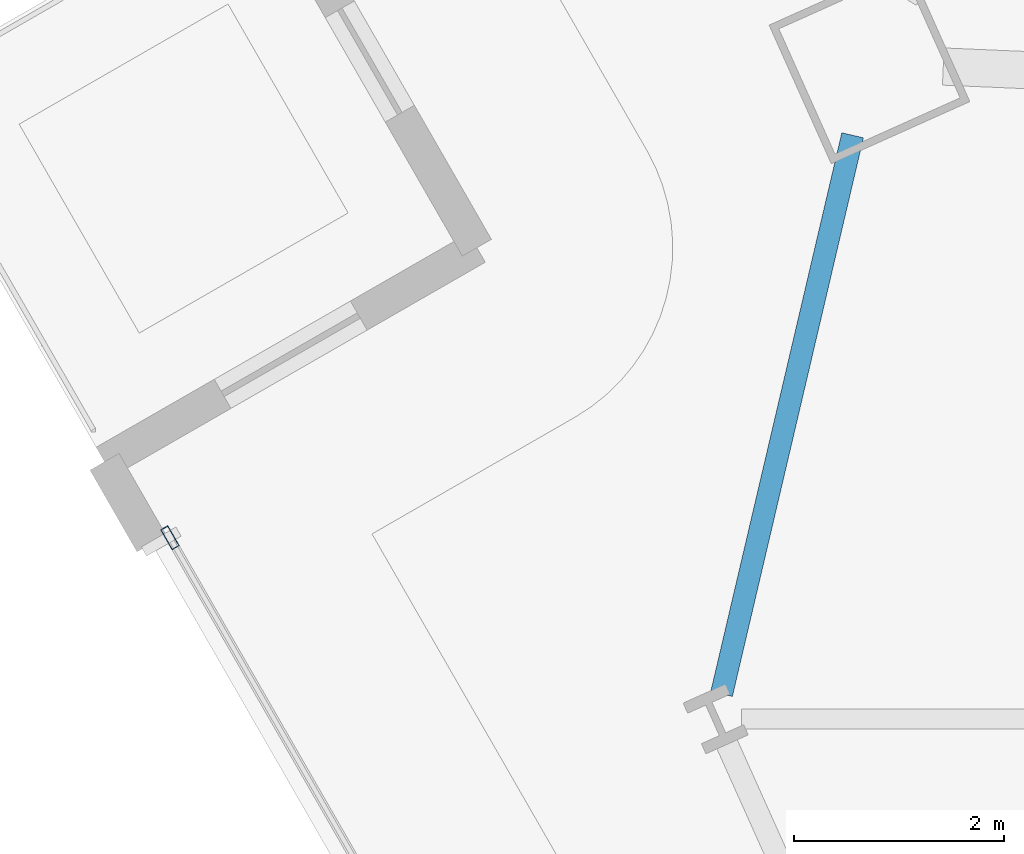
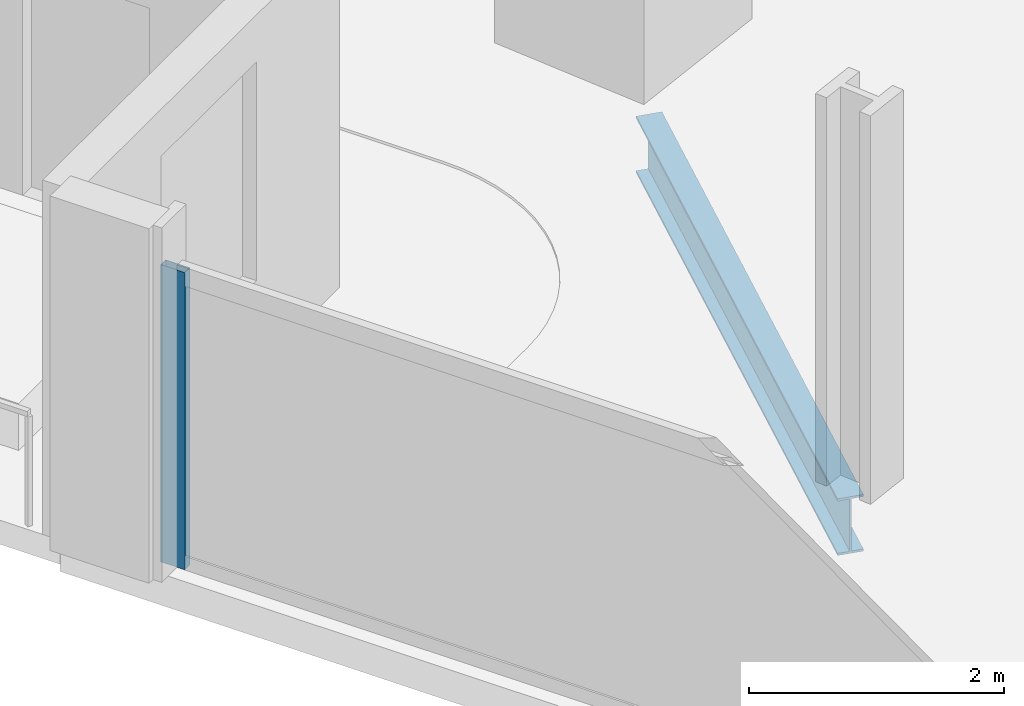
# One storey, part 11 of 33: 1 beam, 1 member, 1 element without a shape of its own.
"""IFC4 building model written with IfcOpenShell, lengths in metres."""

import ifcopenshell
import ifcopenshell.guid

model = None  # the IFC model being written
_history = None  # IfcOwnerHistory: only IFC2X3 demands one
_inside = {}  # id of a spatial element -> (the spatial element, [elements in it])
_under = {}  # id of a project, library or spatial element -> (it, [spatial elements below it])
_declared = {}  # id of a project -> (the project, [libraries it declares])
_typed = {}  # id of a type object -> (the type object, [elements of that type])
_made_of = {}  # id of a material, layer set ... -> (it, [elements and type objects made of it])


def new_model(schema):
    """Start an empty IFC model of exactly this schema.

    Asked for "IFC4X3", IfcOpenShell would pick the latest addendum, in which some entities
    have other attributes; the version numbers below select the first issue.
    IFC2X3 requires an IfcOwnerHistory on every rooted entity: one is made here for all.
    """
    global model, _history
    if schema == "IFC4X3":
        model = ifcopenshell.file(schema_version=(4, 3, 0, 0))
    else:
        model = ifcopenshell.file(schema=schema)
    _inside.clear()
    _under.clear()
    _declared.clear()
    _typed.clear()
    _made_of.clear()
    _history = None
    if model.schema == "IFC2X3":
        org = make("IfcOrganization", Name="unknown")
        user = make(
            "IfcPersonAndOrganization",
            ThePerson=make("IfcPerson", FamilyName="unknown"),
            TheOrganization=org,
        )
        app = make(
            "IfcApplication",
            ApplicationDeveloper=org,
            Version="unknown",
            ApplicationFullName="unknown",
            ApplicationIdentifier="unknown",
        )
        _history = make(
            "IfcOwnerHistory",
            OwningUser=user,
            OwningApplication=app,
            ChangeAction="ADDED",
            CreationDate=0,
        )
    return model


def make(cls, **values):
    """One entity of the class cls with the attributes given. An attribute that is None is left unset."""
    return model.create_entity(
        cls, **{name: value for name, value in values.items() if value is not None}
    )


def rooted(cls, **values):
    """An entity with a GlobalId (a new one), such as an element, a storey or a relation."""
    return make(cls, GlobalId=ifcopenshell.guid.new(), OwnerHistory=_history, **values)


def si_unit(unit_type, name, prefix=None):
    """IfcSIUnit, for example si_unit("LENGTHUNIT", "METRE", prefix="MILLI")."""
    return make("IfcSIUnit", UnitType=unit_type, Prefix=prefix, Name=name)


def assignment(units):
    """IfcUnitAssignment: the units of a project."""
    return None if units is None else make("IfcUnitAssignment", Units=units)


def point(xyz):
    """IfcCartesianPoint."""
    return None if xyz is None else make("IfcCartesianPoint", Coordinates=xyz)


def direction(xyz):
    """IfcDirection."""
    return None if xyz is None else make("IfcDirection", DirectionRatios=xyz)


def frame(location, z_axis=None, x_axis=None):
    """IfcAxis2Placement3D, a coordinate frame: its origin and axes. An axis left out is left unset."""
    return make(
        "IfcAxis2Placement3D",
        Location=point(location),
        Axis=direction(z_axis),
        RefDirection=direction(x_axis),
    )


def frame_2d(location, x_axis=None):
    """IfcAxis2Placement2D, a coordinate frame in the plane: its origin and x axis."""
    return make(
        "IfcAxis2Placement2D", Location=point(location), RefDirection=direction(x_axis)
    )


def origin():
    """The frame at (0, 0, 0) with its axes left unset."""
    return frame((0.0, 0.0, 0.0))


def origin_2d():
    """The frame at (0, 0) in the plane with its x axis left unset."""
    return frame_2d((0.0, 0.0))


def place(relative_to, where):
    """IfcLocalPlacement: puts the frame where relative to a parent placement (None: the world)."""
    return make(
        "IfcLocalPlacement", PlacementRelTo=relative_to, RelativePlacement=where
    )


def context(
    kind, dimensions, precision=None, world=None, true_north=None, identifier=None
):
    """IfcGeometricRepresentationContext, for example the 3D "Model" context."""
    return make(
        "IfcGeometricRepresentationContext",
        ContextIdentifier=identifier,
        ContextType=kind,
        CoordinateSpaceDimension=dimensions,
        Precision=precision,
        WorldCoordinateSystem=world,
        TrueNorth=true_north,
    )


def subcontext(parent, identifier, kind, view, scale=None):
    """IfcGeometricRepresentationSubContext, for example "Body" below "Model"."""
    return make(
        "IfcGeometricRepresentationSubContext",
        ContextIdentifier=identifier,
        ContextType=kind,
        ParentContext=parent,
        TargetScale=scale,
        TargetView=view,
    )


def project(units=None, contexts=None):
    """IfcProject with its units and contexts."""
    return rooted(
        "IfcProject",
        Name="project",
        RepresentationContexts=contexts,
        UnitsInContext=assignment(units),
    )


def spatial(cls, under=None, at=None, **own):
    """A site, building, storey or space (cls), placed at a placement, below another one or the project."""
    s = rooted(cls, ObjectPlacement=at, **own)
    if under is not None:
        _under.setdefault(under.id(), (under, []))[1].append(s)
    return s


def profile(cls, at=None, kind="AREA", **sizes):
    """A parametric profile (cls). Its sizes go by their IFC names, for example OverallWidth=200.0."""
    return make(cls, ProfileType=kind, Position=at, **sizes)


def hollow_rectangle(**sizes):
    """IfcRectangleHollowProfileDef."""
    return profile("IfcRectangleHollowProfileDef", **sizes)


def i_section(**sizes):
    """IfcIShapeProfileDef."""
    return profile("IfcIShapeProfileDef", **sizes)


def extrude(swept, where, along, depth):
    """IfcExtrudedAreaSolid: the profile swept, set in the frame where, extruded along a direction by depth."""
    return make(
        "IfcExtrudedAreaSolid",
        SweptArea=swept,
        Position=where,
        ExtrudedDirection=direction(along),
        Depth=depth,
    )


def shape(context_of_items, identifier, shape_type, items):
    """IfcShapeRepresentation: the items that make up one representation, for example the "Body"."""
    return make(
        "IfcShapeRepresentation",
        ContextOfItems=context_of_items,
        RepresentationIdentifier=identifier,
        RepresentationType=shape_type,
        Items=items,
    )


def material(Name=None, Category=None):
    """IfcMaterial."""
    return make("IfcMaterial", Name=Name, Category=Category)


def material_profile(
    of_material, cross_section, Name=None, Category=None, Priority=None
):
    """IfcMaterialProfile: a cross section and its material."""
    return make(
        "IfcMaterialProfile",
        Name=Name,
        Material=of_material,
        Profile=cross_section,
        Priority=Priority,
        Category=Category,
    )


def profile_set(profiles, Name=None, composite=None):
    """IfcMaterialProfileSet."""
    return make(
        "IfcMaterialProfileSet",
        Name=Name,
        MaterialProfiles=profiles,
        CompositeProfile=composite,
    )


def made_of(thing, what):
    """Note that an element or type object is made of a material, layer set ...; save() writes the relation."""
    if what is not None:
        _made_of.setdefault(what.id(), (what, []))[1].append(thing)
    return thing


def type_object(cls, material=None, **own):
    """A type object (cls), such as IfcWallType, which elements share."""
    return made_of(rooted(cls, **own), material)


def element(
    cls,
    number,
    at=None,
    inside=None,
    cuts=None,
    type_object=None,
    material=None,
    context=None,
    identifier="Body",
    shape_type=None,
    held_by="IfcProductDefinitionShape",
    body=None,
    shapes=None,
    **own,
):
    """One element of the class cls, such as IfcWall. Its Tag is "e" and its number.

    at: its placement. inside: the storey or other place that contains it. cuts: it is an
    opening in that element (IfcRelVoidsElement). A single representation is given by context,
    identifier, shape_type and body (its items); several are given by shapes. held_by: the class
    of the entity that holds the representations. save() writes the other relations.
    """
    e = rooted(cls, Tag="e%d" % number, ObjectPlacement=at, **own)
    if body is not None:
        shapes = [shape(context, identifier, shape_type, body)]
    if shapes is not None:
        e.Representation = make(held_by, Representations=shapes)
    if inside is not None:
        _inside.setdefault(inside.id(), (inside, []))[1].append(e)
    if cuts is not None:
        rooted(
            "IfcRelVoidsElement", RelatingBuildingElement=cuts, RelatedOpeningElement=e
        )
    if type_object is not None:
        _typed.setdefault(type_object.id(), (type_object, []))[1].append(e)
    return made_of(e, material)


def aggregate(whole, parts):
    """IfcRelAggregates: a whole, such as a stair, and the parts it consists of."""
    return rooted("IfcRelAggregates", RelatingObject=whole, RelatedObjects=parts)


def save(model, path):
    """Write the relations noted so far, then the file.

    IfcRelAggregates (storeys below a building ...), IfcRelContainedInSpatialStructure (elements
    in a storey), IfcRelDefinesByType, IfcRelAssociatesMaterial and IfcRelDeclares: one each for
    every whole, place, type object, material and project.
    """
    for whole, parts in _under.values():
        aggregate(whole, parts)
    for where, things in _inside.values():
        rooted(
            "IfcRelContainedInSpatialStructure",
            RelatedElements=things,
            RelatingStructure=where,
        )
    for kind, things in _typed.values():
        rooted("IfcRelDefinesByType", RelatedObjects=things, RelatingType=kind)
    for what, things in _made_of.values():
        rooted("IfcRelAssociatesMaterial", RelatedObjects=things, RelatingMaterial=what)
    for by, libraries in _declared.values():
        rooted("IfcRelDeclares", RelatingContext=by, RelatedDefinitions=libraries)
    model.write(path)


model = new_model("IFC4")

# Units and contexts
model_context = context("Model", 3, precision=1e-05, world=origin(), true_north=direction((0.0, 1.0)))
body_context = subcontext(model_context, "Body", "Model", "MODEL_VIEW")
ifc_project = project(units=[si_unit("LENGTHUNIT", "METRE"), si_unit("AREAUNIT", "SQUARE_METRE"), si_unit("VOLUMEUNIT", "CUBIC_METRE"), si_unit("PLANEANGLEUNIT", "RADIAN"), si_unit("MASSUNIT", "GRAM", prefix="KILO")], contexts=[model_context])

# Site, building, storey
site_placement = place(None, origin())
site = spatial("IfcSite", under=ifc_project, at=site_placement, CompositionType="ELEMENT")
building_placement = place(site_placement, origin())
building = spatial("IfcBuilding", under=site, at=building_placement, Name="Haldenkirk Collegiate Tower", CompositionType="ELEMENT")
storey_placement = place(building_placement, frame((0.0, 0.0, 127.949951171875)))
storey = spatial("IfcBuildingStorey", under=building, at=storey_placement, Name="L31", CompositionType="ELEMENT", Elevation=127.949951171875)

# Beam
ifc_material_1 = material(Name="Steel ASTM A992 Grade 50", Category="steel")
ifc_material_profile_1 = material_profile(ifc_material_1, i_section(OverallWidth=0.2119140625, OverallDepth=0.5439453125, WebThickness=0.01318359375, FlangeThickness=0.021240234375, at=origin_2d()), Name="W21X83")
ifc_profile_set_1 = profile_set([ifc_material_profile_1], Name="Steel ASTM A992 Grade 50")
beam_type = type_object("IfcBeamType", Name="BM-SPANDREL-W21X83", PredefinedType="SPANDREL", material=ifc_profile_set_1)
beam_placement = place(storey_placement, frame((10.624755859375, 34.0087890625, -0.572021484375), z_axis=(-0.228373515871, -0.97357359108, 0.0), x_axis=(0.97357359108, -0.228373515871, 0.0)))
element("IfcBeam", 1, at=beam_placement, inside=storey, type_object=beam_type, Name="L31 perimeter spandrel beam 13", PredefinedType="SPANDREL", context=body_context, shape_type="SweptSolid", body=[
    extrude(i_section(OverallWidth=0.2119140625, OverallDepth=0.5439453125, WebThickness=0.01318359375, FlangeThickness=0.021240234375, at=origin_2d()), origin(), (0.0, 0.0, 1.0), 5.477783203125),
])

# Curtain wall, member
ifc_material_2 = material(Name="Anodised architectural bronze aluminium", Category="aluminium")
curtain_wall_type = type_object("IfcCurtainWallType", Name="CW-SYS1-CONVEX-LOW", PredefinedType="USERDEFINED", material=ifc_material_2)
curtain_wall_placement = place(storey_placement, origin())
curtain_wall = element("IfcCurtainWall", 2, at=curtain_wall_placement, inside=storey, type_object=curtain_wall_type, Name="L31 Lower tower convex bronze-framed unitised curtain wall", ObjectType="UNITISED CURTAIN WALL", PredefinedType="USERDEFINED")
ifc_material_profile_2 = material_profile(ifc_material_2, hollow_rectangle(XDim=0.080078125, YDim=0.219970703125, WallThickness=0.0048828125, at=origin_2d()), Name="CW-MUL-1A")
ifc_profile_set_2 = profile_set([ifc_material_profile_2], Name="Anodised architectural bronze aluminium")
member_type = type_object("IfcMemberType", Name="CW-MUL-1A", PredefinedType="MULLION", material=ifc_profile_set_2)
member_placement = place(storey_placement, frame((4.10791015625, 30.166748046875, 0.0), z_axis=(0.0, 0.0, 1.0), x_axis=(-0.866895687259, -0.498489586061, 0.0)))
member = element("IfcMember", 3, at=member_placement, type_object=member_type, Name="CW-1A mullion 5", PredefinedType="MULLION", context=body_context, shape_type="SweptSolid", body=[
    extrude(hollow_rectangle(XDim=0.080078125, YDim=0.219970703125, WallThickness=0.0048828125, at=origin_2d()), origin(), (0.0, 0.0, 1.0), 2.85107421875),
])
aggregate(curtain_wall, [member])

save(model, "model.ifc")
